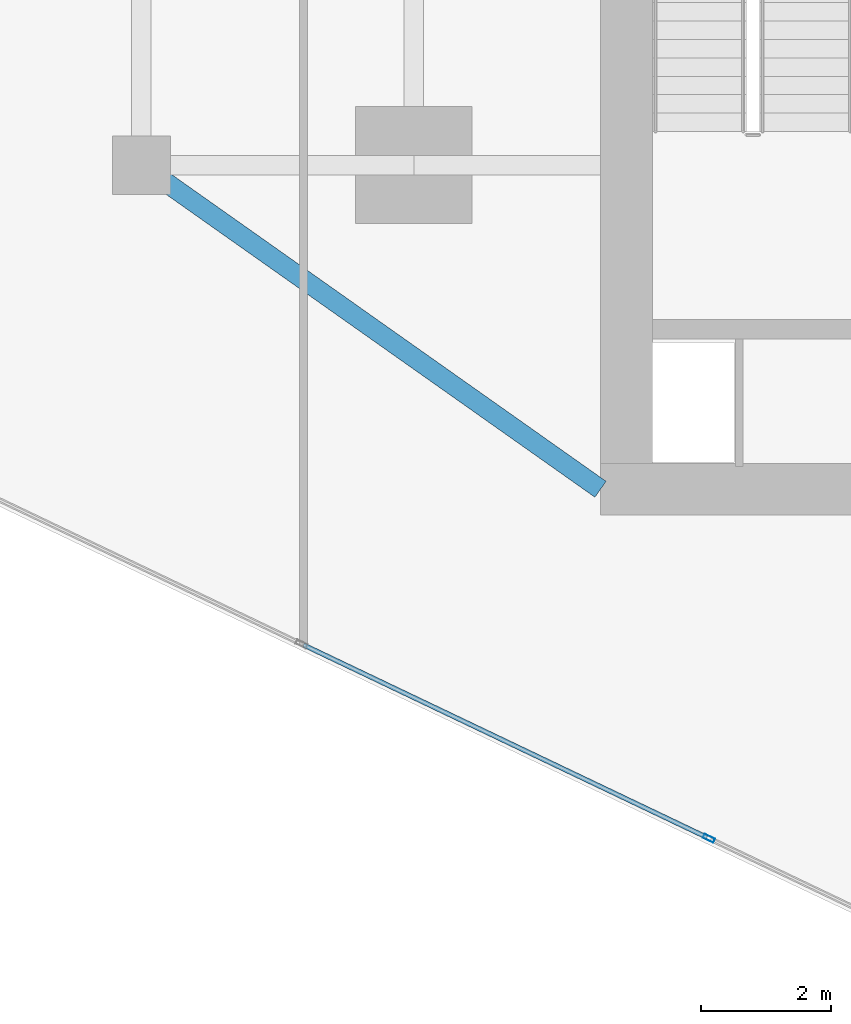
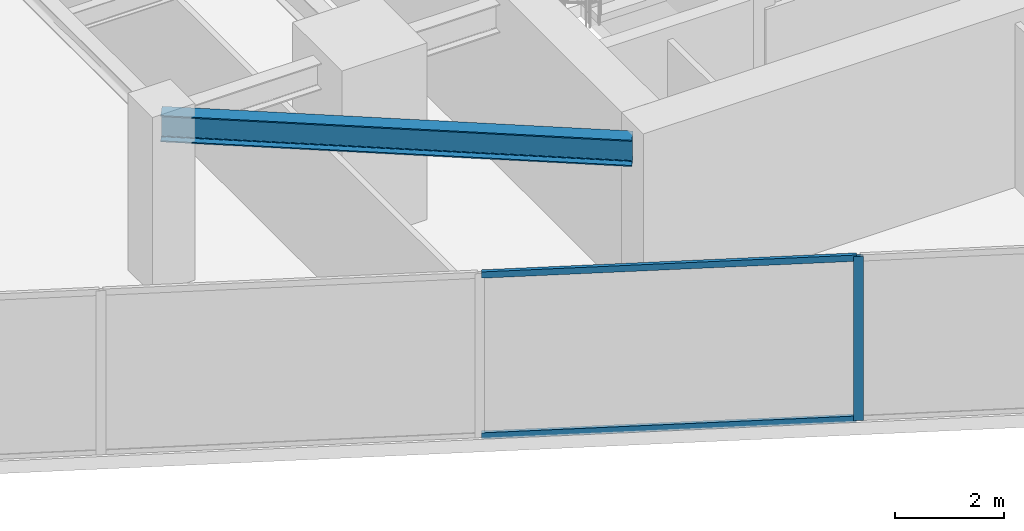
# One storey, part 3 of 25: 3 members, 1 beam, 1 element without a shape of its own.
"""IFC4 building model written with IfcOpenShell, lengths in metres."""

from ifc_helpers import new_model, si_unit, direction, frame, origin, origin_2d, place, context, subcontext, project, spatial, hollow_rectangle, i_section, extrude, source, transform, mapped, material, material_profile, profile_set, type_object, type_shapes, element, aggregate, save


model = new_model("IFC4")

# Units and contexts
model_context = context("Model", 3, precision=1e-05, world=origin(), true_north=direction((0.0, 1.0)))
body_context = subcontext(model_context, "Body", "Model", "MODEL_VIEW")
ifc_project = project(units=[si_unit("LENGTHUNIT", "METRE"), si_unit("AREAUNIT", "SQUARE_METRE"), si_unit("VOLUMEUNIT", "CUBIC_METRE"), si_unit("PLANEANGLEUNIT", "RADIAN"), si_unit("MASSUNIT", "GRAM", prefix="KILO")], contexts=[model_context])

# Site, building, storey
site_placement = place(None, origin())
site = spatial("IfcSite", under=ifc_project, at=site_placement, CompositionType="ELEMENT")
building_placement = place(site_placement, origin())
building = spatial("IfcBuilding", under=site, at=building_placement, Name="Krantzveldt Concourse Tower", CompositionType="ELEMENT")
storey_placement = place(building_placement, frame((0.0, 0.0, 146.199951171875)))
storey = spatial("IfcBuildingStorey", under=building, at=storey_placement, Name="L35", CompositionType="ELEMENT", Elevation=146.199951171875)

# Beam
ifc_material_1 = material(Name="Steel S355JR", Category="steel")
ifc_material_profile_1 = material_profile(ifc_material_1, i_section(OverallWidth=0.300048828125, OverallDepth=0.590087890625, WebThickness=0.012939453125, FlangeThickness=0.02490234375, FilletRadius=0.027099609375, at=origin_2d()), Name="Steel S355JR", Category="steel")
ifc_profile_set_1 = profile_set([ifc_material_profile_1], Name="Steel S355JR - HEA 600")
beam_type = type_object("IfcBeamType", Name="BM-B-HEA600", PredefinedType="BEAM", material=ifc_profile_set_1)
shared_shape_1 = source(origin(), body_context, "Body", "SweptSolid", [
    extrude(i_section(OverallWidth=0.300048828125, OverallDepth=0.590087890625, WebThickness=0.012939453125, FlangeThickness=0.02490234375, FilletRadius=0.027099609375, at=origin_2d()), origin(), (0.0, 0.0, 1.0), 8.667724609375),
])
type_shapes(beam_type, [shared_shape_1])
beam_placement = place(storey_placement, frame((21.0, 15.89990234375, 3.375), z_axis=(0.81684294656, -0.576860122261, 0.0), x_axis=(0.576860122261, 0.81684294656, 0.0)))
element("IfcBeam", 1, at=beam_placement, inside=storey, type_object=beam_type, Name="L35 Tower Girder BR-CSW", PredefinedType="BEAM", context=body_context, shape_type="MappedRepresentation", body=[
    mapped(shared_shape_1, transform((0.0, 0.0, 0.0), x_axis=(1.0, 0.0, 0.0), y_axis=(0.0, 1.0, 0.0), z_axis=(0.0, 0.0, 1.0), scale=1.0)),
])

# Curtain wall, members
ifc_material_2 = material(Name="Anodised aluminium 6063-T6", Category="aluminium")
curtain_wall_type = type_object("IfcCurtainWallType", Name="CW3", PredefinedType="USERDEFINED", material=ifc_material_2)
curtain_wall_placement = place(storey_placement, origin())
curtain_wall = element("IfcCurtainWall", 2, at=curtain_wall_placement, inside=storey, type_object=curtain_wall_type, Name="CW-L35-F04", ObjectType="UNITISED CURTAIN WALL", PredefinedType="USERDEFINED")
ifc_material_profile_2 = material_profile(ifc_material_2, hollow_rectangle(XDim=0.070068359375, YDim=0.179931640625, WallThickness=0.0048828125, at=origin_2d()), Name="Anodised aluminium 6063-T6", Category="aluminium")
ifc_profile_set_2 = profile_set([ifc_material_profile_2], Name="Anodised aluminium 6063-T6 - ALU-MULL 180x70x5")
member_type_1 = type_object("IfcMemberType", Name="CW-MUL-180", PredefinedType="MULLION", material=ifc_profile_set_2)
shared_shape_2 = source(origin(), body_context, "Body", "SweptSolid", [
    extrude(hollow_rectangle(XDim=0.070068359375, YDim=0.179931640625, WallThickness=0.0048828125, at=origin_2d()), origin(), (0.0, 0.0, 1.0), 3.670166015625),
])
type_shapes(member_type_1, [shared_shape_2])
member_1_placement = place(storey_placement, frame((29.75146484375, 5.516357421875, 0.0), z_axis=(0.0, 0.0, 1.0), x_axis=(0.430511162987, 0.902585252784, 0.0)))
member_1 = element("IfcMember", 3, at=member_1_placement, type_object=member_type_1, Name="CW-Z34 mullion 4", PredefinedType="MULLION", context=body_context, shape_type="MappedRepresentation", body=[
    mapped(shared_shape_2, transform((0.0, 0.0, 0.0), x_axis=(1.0, 0.0, 0.0), y_axis=(0.0, 1.0, 0.0), z_axis=(0.0, 0.0, 1.0), scale=1.0)),
])
ifc_material_profile_3 = material_profile(ifc_material_2, hollow_rectangle(XDim=0.070068359375, YDim=0.139892578125, WallThickness=0.0048828125, at=origin_2d()), Name="Anodised aluminium 6063-T6", Category="aluminium")
ifc_profile_set_3 = profile_set([ifc_material_profile_3], Name="Anodised aluminium 6063-T6 - ALU-TRAN 140x70x5")
member_type_2 = type_object("IfcMemberType", Name="CW-TRN-150", PredefinedType="USERDEFINED", material=ifc_profile_set_3)
shared_shape_3 = source(origin(), body_context, "Body", "SweptSolid", [
    extrude(hollow_rectangle(XDim=0.070068359375, YDim=0.139892578125, WallThickness=0.0048828125, at=origin_2d()), origin(), (0.0, 0.0, 1.0), 6.889892578125),
])
type_shapes(member_type_2, [shared_shape_3])
member_2_placement = place(storey_placement, frame((23.501220703125, 8.497802734375, 0.03515625), z_axis=(0.902578685829, -0.430524930623, 0.0), x_axis=(0.430524930623, 0.902578685829, 0.0)))
member_2 = element("IfcMember", 4, at=member_2_placement, type_object=member_type_2, Name="CW-Z34 transom 3.1", ObjectType="TRANSOM", PredefinedType="USERDEFINED", context=body_context, shape_type="MappedRepresentation", body=[
    mapped(shared_shape_3, transform((0.0, 0.0, 0.0), x_axis=(1.0, 0.0, 0.0), y_axis=(0.0, 1.0, 0.0), z_axis=(0.0, 0.0, 1.0), scale=1.0)),
])
member_3_placement = place(storey_placement, frame((23.501220703125, 8.497802734375, 3.635009765625), z_axis=(0.902578685829, -0.430524930623, 0.0), x_axis=(0.430524930623, 0.902578685829, 0.0)))
member_3 = element("IfcMember", 5, at=member_3_placement, type_object=member_type_2, Name="CW-Z34 transom 3.2", ObjectType="TRANSOM", PredefinedType="USERDEFINED", context=body_context, shape_type="MappedRepresentation", body=[
    mapped(shared_shape_3, transform((0.0, 0.0, 0.0), x_axis=(1.0, 0.0, 0.0), y_axis=(0.0, 1.0, 0.0), z_axis=(0.0, 0.0, 1.0), scale=1.0)),
])
aggregate(curtain_wall, [member_1, member_2, member_3])

save(model, "model.ifc")
